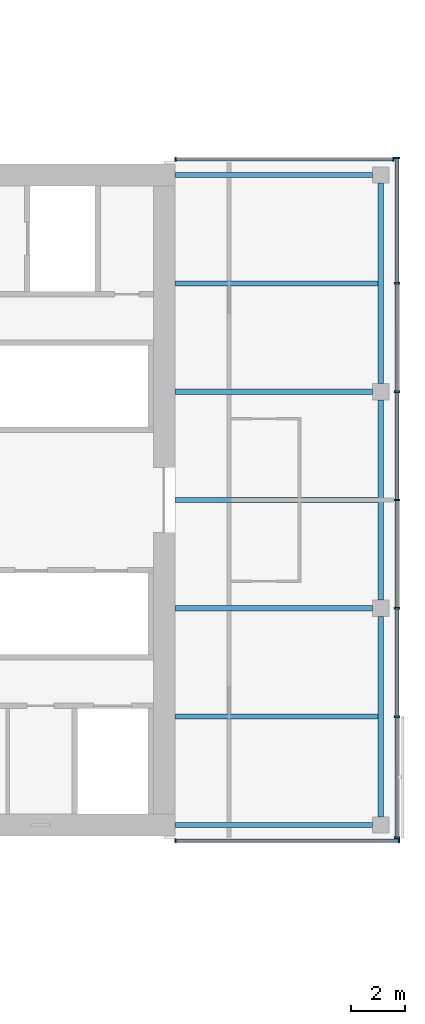
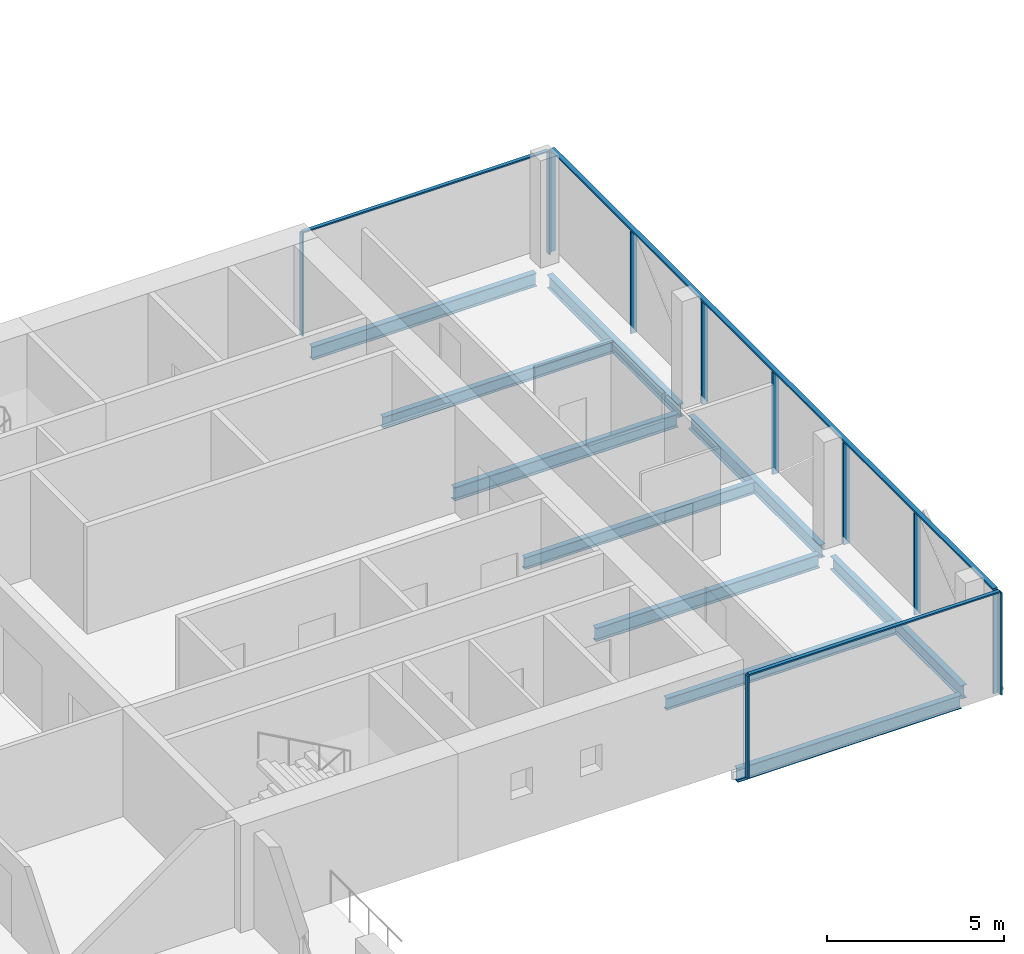
# One storey, part 11 of 27: 14 members, 10 beams, 3 elements without a shape of their own.
"""IFC4 building model written with IfcOpenShell, lengths in metres."""

from ifc_helpers import new_model, si_unit, direction, frame, origin, origin_2d, place, context, subcontext, project, spatial, rectangle, i_section, extrude, material, material_profile, profile_set, type_object, element, aggregate, save


model = new_model("IFC4")

# Units and contexts
model_context = context("Model", 3, precision=1e-05, world=origin(), true_north=direction((0.0, 1.0)))
body_context = subcontext(model_context, "Body", "Model", "MODEL_VIEW")
ifc_project = project(units=[si_unit("LENGTHUNIT", "METRE"), si_unit("AREAUNIT", "SQUARE_METRE"), si_unit("VOLUMEUNIT", "CUBIC_METRE"), si_unit("PLANEANGLEUNIT", "RADIAN"), si_unit("MASSUNIT", "GRAM", prefix="KILO")], contexts=[model_context])

# Site, building, storey
site_placement = place(None, origin())
site = spatial("IfcSite", under=ifc_project, at=site_placement, CompositionType="ELEMENT")
building_placement = place(site_placement, origin())
building = spatial("IfcBuilding", under=site, at=building_placement, Name="Crosswind Convention Tower", CompositionType="ELEMENT")
storey_placement = place(building_placement, frame((0.0, 0.0, 101.60009765625)))
storey = spatial("IfcBuildingStorey", under=building, at=storey_placement, Name="L20", CompositionType="ELEMENT", Elevation=101.60009765625)

# Beams
ifc_material_1 = material(Name="Steel S355", Category="steel")
ifc_material_profile_1 = material_profile(ifc_material_1, i_section(OverallWidth=0.1904296875, OverallDepth=0.457275390625, WebThickness=0.009033203125, FlangeThickness=0.014404296875, FilletRadius=0.01025390625, at=origin_2d()), Name="UB 457x191x75")
ifc_profile_set_1 = profile_set([ifc_material_profile_1], Name="Steel S355")
beam_type_1 = type_object("IfcBeamType", Name="Edge beam UB 457x191x75", PredefinedType="SPANDREL", material=ifc_profile_set_1)
for number, where, z_axis, x_axis, name in (
    (1, (153.39990234375, 88.0, -0.5087890625), (1.0, 0.0, 0.0), (0.0, 1.0, 0.0), "B17 L20 edge beam 24"),
    (2, (153.39990234375, 112.0, -0.5087890625), (1.0, 0.0, 0.0), (0.0, 1.0, 0.0), "B17 L20 edge beam 25"),
):
    element("IfcBeam", number, at=place(storey_placement, frame(where, z_axis=z_axis, x_axis=x_axis)), inside=storey, type_object=beam_type_1, Name=name, PredefinedType="SPANDREL", context=body_context, shape_type="SweptSolid", body=[
        extrude(i_section(OverallWidth=0.1904296875, OverallDepth=0.457275390625, WebThickness=0.009033203125, FlangeThickness=0.014404296875, FilletRadius=0.01025390625, at=origin_2d()), origin(), (0.0, 0.0, 1.0), 7.300048828125),
    ])
for number, where, z_axis, x_axis, name in (
    (3, (161.0, 88.300048828125, -0.5087890625), (0.0, 1.0, 0.0), (-1.0, 0.0, 0.0), "B17 L20 edge beam 26"),
    (4, (161.0, 96.300048828125, -0.5087890625), (0.0, 1.0, 0.0), (-1.0, 0.0, 0.0), "B17 L20 edge beam 27"),
    (5, (161.0, 104.300048828125, -0.5087890625), (0.0, 1.0, 0.0), (-1.0, 0.0, 0.0), "B17 L20 edge beam 28"),
):
    element("IfcBeam", number, at=place(storey_placement, frame(where, z_axis=z_axis, x_axis=x_axis)), inside=storey, type_object=beam_type_1, Name=name, PredefinedType="SPANDREL", context=body_context, shape_type="SweptSolid", body=[
        extrude(i_section(OverallWidth=0.1904296875, OverallDepth=0.457275390625, WebThickness=0.009033203125, FlangeThickness=0.014404296875, FilletRadius=0.01025390625, at=origin_2d()), origin(), (0.0, 0.0, 1.0), 7.39990234375),
    ])
ifc_material_profile_2 = material_profile(ifc_material_1, i_section(OverallWidth=0.19189453125, OverallDepth=0.463623046875, WebThickness=0.010498046875, FlangeThickness=0.017578125, FilletRadius=0.01025390625, at=origin_2d()), Name="UB 457x191x90")
ifc_profile_set_2 = profile_set([ifc_material_profile_2], Name="Steel S355")
beam_type_2 = type_object("IfcBeamType", Name="Girder at core wall UB 457x191x90", PredefinedType="BEAM", material=ifc_profile_set_2)
for number, where, z_axis, x_axis, name in (
    (6, (153.39990234375, 96.0, -0.511962890625), (1.0, 0.0, 0.0), (0.0, 1.0, 0.0), "B24 L20 girder at core wall 11"),
    (7, (153.39990234375, 104.0, -0.511962890625), (1.0, 0.0, 0.0), (0.0, 1.0, 0.0), "B24 L20 girder at core wall 12"),
):
    element("IfcBeam", number, at=place(storey_placement, frame(where, z_axis=z_axis, x_axis=x_axis)), inside=storey, type_object=beam_type_2, Name=name, PredefinedType="BEAM", context=body_context, shape_type="SweptSolid", body=[
        extrude(i_section(OverallWidth=0.19189453125, OverallDepth=0.463623046875, WebThickness=0.010498046875, FlangeThickness=0.017578125, FilletRadius=0.01025390625, at=origin_2d()), origin(), (0.0, 0.0, 1.0), 7.300048828125),
    ])

# Curtain wall, members
ifc_material_2 = material(Name="Aluminium unitised curtain wall", Category="aluminium")
curtain_wall_type_1 = type_object("IfcCurtainWallType", Name="CORE END SLOT WALL 160", PredefinedType="USERDEFINED", material=ifc_material_2)
curtain_wall_1_placement = place(storey_placement, origin())
curtain_wall_1 = element("IfcCurtainWall", 8, at=curtain_wall_1_placement, inside=storey, type_object=curtain_wall_type_1, Name="CW6 L20 E-N.1-1 slot", ObjectType="UNITISED", PredefinedType="USERDEFINED")
ifc_material_3 = material(Name="Aluminium mullion", Category="aluminium")
ifc_material_profile_3 = material_profile(ifc_material_3, rectangle(XDim=0.159912109375, YDim=0.050048828125, at=origin_2d()), Name="AL 160X50")
ifc_profile_set_3 = profile_set([ifc_material_profile_3], Name="Aluminium mullion")
member_type_1 = type_object("IfcMemberType", Name="MULLION 50X160", PredefinedType="MULLION", material=ifc_profile_set_3)
member_1_placement = place(storey_placement, frame((161.47509765625, 112.580078125, -0.280029296875), z_axis=(0.0, 0.0, 1.0), x_axis=(0.0, 1.0, 0.0)))
member_1 = element("IfcMember", 9, at=member_1_placement, type_object=member_type_1, Name="CW6 mullion 1", PredefinedType="MULLION", context=body_context, shape_type="SweptSolid", body=[
    extrude(rectangle(XDim=0.159912109375, YDim=0.050048828125, at=origin_2d()), origin(), (0.0, 0.0, 1.0), 3.530029296875),
])
member_2_placement = place(storey_placement, frame((153.425048828125, 112.580078125, -0.280029296875), z_axis=(0.0, 0.0, 1.0), x_axis=(0.0, 1.0, 0.0)))
member_2 = element("IfcMember", 10, at=member_2_placement, type_object=member_type_1, Name="CW6 mullion 2", PredefinedType="MULLION", context=body_context, shape_type="SweptSolid", body=[
    extrude(rectangle(XDim=0.159912109375, YDim=0.050048828125, at=origin_2d()), origin(), (0.0, 0.0, 1.0), 3.530029296875),
])

curtain_wall_2_placement = place(storey_placement, origin())
curtain_wall_2 = element("IfcCurtainWall", 11, at=curtain_wall_2_placement, inside=storey, type_object=curtain_wall_type_1, Name="CW6 L20 E-S.2-1 slot", ObjectType="UNITISED", PredefinedType="USERDEFINED")
member_3_placement = place(storey_placement, frame((153.425048828125, 87.419921875, -0.280029296875), z_axis=(0.0, 0.0, 1.0), x_axis=(0.0, -1.0, 0.0)))
member_3 = element("IfcMember", 12, at=member_3_placement, type_object=member_type_1, Name="CW6 mullion 1", PredefinedType="MULLION", context=body_context, shape_type="SweptSolid", body=[
    extrude(rectangle(XDim=0.159912109375, YDim=0.050048828125, at=origin_2d()), origin(), (0.0, 0.0, 1.0), 3.530029296875),
])
member_4_placement = place(storey_placement, frame((161.675048828125, 87.419921875, -0.280029296875), z_axis=(0.0, 0.0, 1.0), x_axis=(0.0, -1.0, 0.0)))
member_4 = element("IfcMember", 13, at=member_4_placement, type_object=member_type_1, Name="CW6 mullion 2", PredefinedType="MULLION", context=body_context, shape_type="SweptSolid", body=[
    extrude(rectangle(XDim=0.159912109375, YDim=0.050048828125, at=origin_2d()), origin(), (0.0, 0.0, 1.0), 3.530029296875),
])

curtain_wall_type_2 = type_object("IfcCurtainWallType", Name="HOTEL UNITISED WALL 200", PredefinedType="USERDEFINED", material=ifc_material_2)
curtain_wall_3_placement = place(storey_placement, origin())
curtain_wall_3 = element("IfcCurtainWall", 14, at=curtain_wall_3_placement, inside=storey, type_object=curtain_wall_type_2, Name="CW2 L20 E-TIP 1", ObjectType="UNITISED", PredefinedType="USERDEFINED")
ifc_material_profile_4 = material_profile(ifc_material_3, rectangle(XDim=0.199951171875, YDim=0.06494140625, at=origin_2d()), Name="AL 200X65")
ifc_profile_set_4 = profile_set([ifc_material_profile_4], Name="Aluminium mullion")
member_type_2 = type_object("IfcMemberType", Name="MULLION 65X200", PredefinedType="MULLION", material=ifc_profile_set_4)
member_5_placement = place(storey_placement, frame((161.60009765625, 87.532470703125, -0.280029296875), z_axis=(0.0, 0.0, 1.0), x_axis=(1.0, 0.0, 0.0)))
member_5 = element("IfcMember", 15, at=member_5_placement, type_object=member_type_2, Name="CW2 mullion 1", PredefinedType="MULLION", context=body_context, shape_type="SweptSolid", body=[
    extrude(rectangle(XDim=0.199951171875, YDim=0.06494140625, at=origin_2d()), origin(), (0.0, 0.0, 1.0), 3.514892578125),
])
member_6_placement = place(storey_placement, frame((161.60009765625, 92.0, -0.280029296875), z_axis=(0.0, 0.0, 1.0), x_axis=(1.0, 0.0, 0.0)))
member_6 = element("IfcMember", 16, at=member_6_placement, type_object=member_type_2, Name="CW2 mullion 2", PredefinedType="MULLION", context=body_context, shape_type="SweptSolid", body=[
    extrude(rectangle(XDim=0.199951171875, YDim=0.06494140625, at=origin_2d()), origin(), (0.0, 0.0, 1.0), 3.514892578125),
])
member_7_placement = place(storey_placement, frame((161.60009765625, 96.0, -0.280029296875), z_axis=(0.0, 0.0, 1.0), x_axis=(1.0, 0.0, 0.0)))
member_7 = element("IfcMember", 17, at=member_7_placement, type_object=member_type_2, Name="CW2 mullion 3", PredefinedType="MULLION", context=body_context, shape_type="SweptSolid", body=[
    extrude(rectangle(XDim=0.199951171875, YDim=0.06494140625, at=origin_2d()), origin(), (0.0, 0.0, 1.0), 3.514892578125),
])
member_8_placement = place(storey_placement, frame((161.60009765625, 100.0, -0.280029296875), z_axis=(0.0, 0.0, 1.0), x_axis=(1.0, 0.0, 0.0)))
member_8 = element("IfcMember", 18, at=member_8_placement, type_object=member_type_2, Name="CW2 mullion 4", PredefinedType="MULLION", context=body_context, shape_type="SweptSolid", body=[
    extrude(rectangle(XDim=0.199951171875, YDim=0.06494140625, at=origin_2d()), origin(), (0.0, 0.0, 1.0), 3.514892578125),
])
member_9_placement = place(storey_placement, frame((161.60009765625, 104.0, -0.280029296875), z_axis=(0.0, 0.0, 1.0), x_axis=(1.0, 0.0, 0.0)))
member_9 = element("IfcMember", 19, at=member_9_placement, type_object=member_type_2, Name="CW2 mullion 5", PredefinedType="MULLION", context=body_context, shape_type="SweptSolid", body=[
    extrude(rectangle(XDim=0.199951171875, YDim=0.06494140625, at=origin_2d()), origin(), (0.0, 0.0, 1.0), 3.514892578125),
])
member_10_placement = place(storey_placement, frame((161.60009765625, 108.0, -0.280029296875), z_axis=(0.0, 0.0, 1.0), x_axis=(1.0, 0.0, 0.0)))
member_10 = element("IfcMember", 20, at=member_10_placement, type_object=member_type_2, Name="CW2 mullion 6", PredefinedType="MULLION", context=body_context, shape_type="SweptSolid", body=[
    extrude(rectangle(XDim=0.199951171875, YDim=0.06494140625, at=origin_2d()), origin(), (0.0, 0.0, 1.0), 3.514892578125),
])
member_11_placement = place(storey_placement, frame((161.60009765625, 112.62744140625, -0.280029296875), z_axis=(0.0, 0.0, 1.0), x_axis=(1.0, 0.0, 0.0)))
member_11 = element("IfcMember", 21, at=member_11_placement, type_object=member_type_2, Name="CW2 mullion 7", PredefinedType="MULLION", context=body_context, shape_type="SweptSolid", body=[
    extrude(rectangle(XDim=0.199951171875, YDim=0.06494140625, at=origin_2d()), origin(), (0.0, 0.0, 1.0), 3.514892578125),
])

# Beams
ifc_material_profile_5 = material_profile(ifc_material_1, i_section(OverallWidth=0.177734375, OverallDepth=0.406494140625, WebThickness=0.0078125, FlangeThickness=0.0126953125, FilletRadius=0.01025390625, at=origin_2d()), Name="UB 406x178x60")
ifc_profile_set_5 = profile_set([ifc_material_profile_5], Name="Steel S355")
beam_type_3 = type_object("IfcBeamType", Name="Secondary beam UB 406x178x60", PredefinedType="JOIST", material=ifc_profile_set_5)
for number, where, z_axis, x_axis, name in (
    (22, (153.39990234375, 92.0, -0.4833984375), (1.0, 0.0, 0.0), (0.0, 1.0, 0.0), "B10 L20 secondary beam 31"),
    (23, (153.39990234375, 100.0, -0.4833984375), (1.0, 0.0, 0.0), (0.0, 1.0, 0.0), "B10 L20 secondary beam 32"),
    (24, (153.39990234375, 108.0, -0.4833984375), (1.0, 0.0, 0.0), (0.0, 1.0, 0.0), "B10 L20 secondary beam 33"),
):
    element("IfcBeam", number, at=place(storey_placement, frame(where, z_axis=z_axis, x_axis=x_axis)), inside=storey, type_object=beam_type_3, Name=name, PredefinedType="JOIST", context=body_context, shape_type="SweptSolid", body=[
        extrude(i_section(OverallWidth=0.177734375, OverallDepth=0.406494140625, WebThickness=0.0078125, FlangeThickness=0.0126953125, FilletRadius=0.01025390625, at=origin_2d()), origin(), (0.0, 0.0, 1.0), 7.5048828125),
    ])

# Member
ifc_material_4 = material(Name="Aluminium transom", Category="aluminium")
ifc_material_profile_6 = material_profile(ifc_material_4, rectangle(XDim=0.1201171875, YDim=0.050048828125, at=origin_2d()), Name="AL 120X50")
ifc_profile_set_6 = profile_set([ifc_material_profile_6], Name="Aluminium transom")
member_type_3 = type_object("IfcMemberType", Name="TRANSOM 50X120", PredefinedType="USERDEFINED", material=ifc_profile_set_6)
member_12_placement = place(storey_placement, frame((161.449951171875, 112.580078125, 3.27490234375), z_axis=(-1.0, 0.0, 0.0), x_axis=(0.0, -1.0, 0.0)))
member_12 = element("IfcMember", 25, at=member_12_placement, type_object=member_type_3, Name="CW6 transom", ObjectType="TRANSOM", PredefinedType="USERDEFINED", context=body_context, shape_type="SweptSolid", body=[
    extrude(rectangle(XDim=0.1201171875, YDim=0.050048828125, at=origin_2d()), origin(), (0.0, 0.0, 1.0), 8.0),
])

aggregate(curtain_wall_1, [member_1, member_2, member_12])

member_13_placement = place(storey_placement, frame((153.449951171875, 87.419921875, 3.27490234375), z_axis=(1.0, 0.0, 0.0), x_axis=(0.0, 1.0, 0.0)))
member_13 = element("IfcMember", 26, at=member_13_placement, type_object=member_type_3, Name="CW6 transom", ObjectType="TRANSOM", PredefinedType="USERDEFINED", context=body_context, shape_type="SweptSolid", body=[
    extrude(rectangle(XDim=0.1201171875, YDim=0.050048828125, at=origin_2d()), origin(), (0.0, 0.0, 1.0), 8.199951171875),
])

aggregate(curtain_wall_2, [member_3, member_4, member_13])

ifc_material_profile_7 = material_profile(ifc_material_4, rectangle(XDim=0.14990234375, YDim=0.06494140625, at=origin_2d()), Name="AL 150X65")
ifc_profile_set_7 = profile_set([ifc_material_profile_7], Name="Aluminium transom")
member_type_4 = type_object("IfcMemberType", Name="TRANSOM 65X150", PredefinedType="USERDEFINED", material=ifc_profile_set_7)
member_14_placement = place(storey_placement, frame((161.60009765625, 87.56494140625, 3.267333984375), z_axis=(0.0, 1.0, 0.0), x_axis=(-1.0, 0.0, 0.0)))
member_14 = element("IfcMember", 27, at=member_14_placement, type_object=member_type_4, Name="CW2 transom", ObjectType="TRANSOM", PredefinedType="USERDEFINED", context=body_context, shape_type="SweptSolid", body=[
    extrude(rectangle(XDim=0.14990234375, YDim=0.06494140625, at=origin_2d()), origin(), (0.0, 0.0, 1.0), 25.030029296875),
])

aggregate(curtain_wall_3, [member_5, member_6, member_7, member_8, member_9, member_10, member_11, member_14])

save(model, "model.ifc")
